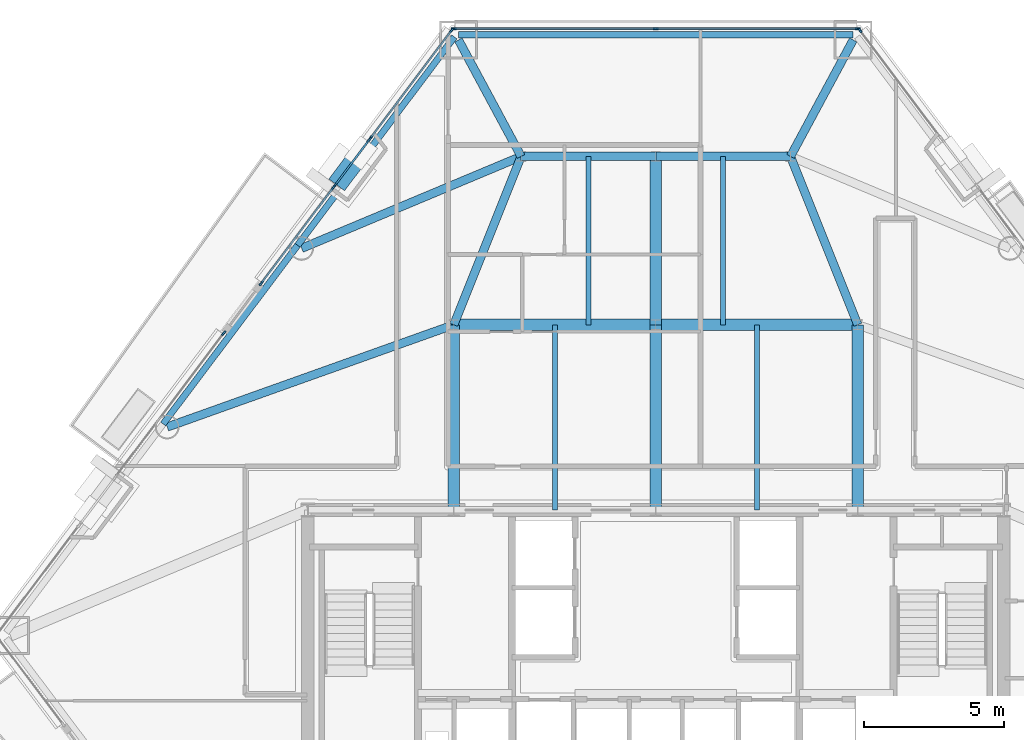
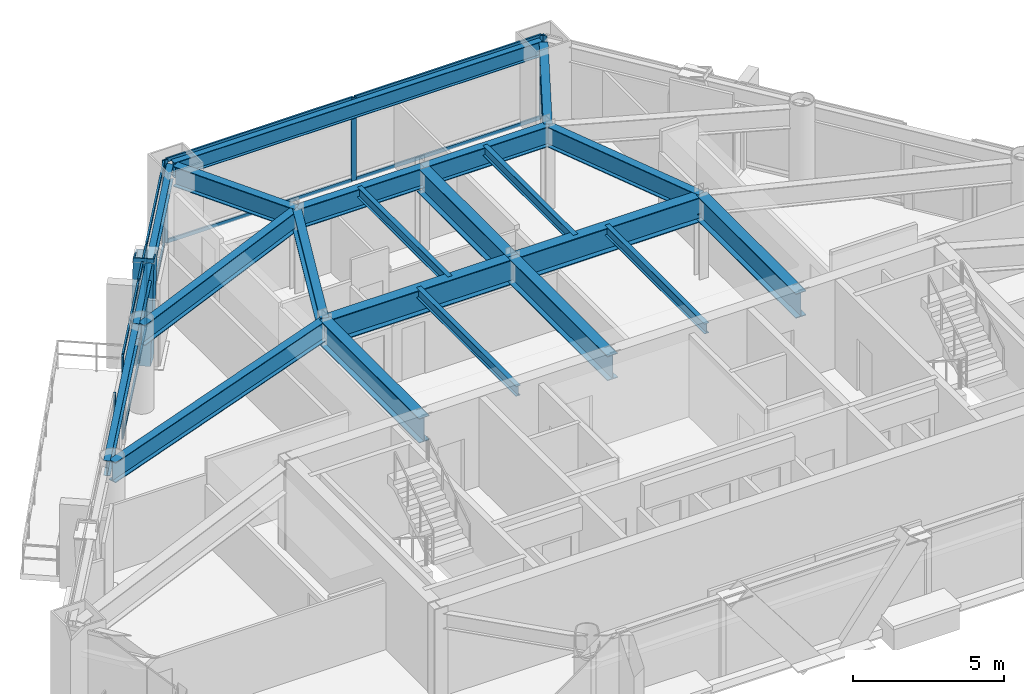
# One storey, part 3 of 10: 22 members, 21 beams, 6 elements without a shape of their own.
"""IFC4 building model written with IfcOpenShell, lengths in metres."""

from ifc_helpers import new_model, si_unit, direction, frame, origin, origin_2d, place, context, subcontext, project, spatial, rectangle, hollow_rectangle, i_section, extrude, material, layer, layer_set, material_profile, profile_set, type_object, element, aggregate, save


model = new_model("IFC4")

# Units and contexts
model_context = context("Model", 3, precision=1e-05, world=origin(), true_north=direction((0.0, 1.0)))
body_context = subcontext(model_context, "Body", "Model", "MODEL_VIEW")
ifc_project = project(units=[si_unit("LENGTHUNIT", "METRE"), si_unit("AREAUNIT", "SQUARE_METRE"), si_unit("VOLUMEUNIT", "CUBIC_METRE"), si_unit("PLANEANGLEUNIT", "RADIAN"), si_unit("MASSUNIT", "GRAM", prefix="KILO")], contexts=[model_context])

# Site, building, storey
site_placement = place(None, origin())
site = spatial("IfcSite", under=ifc_project, at=site_placement, CompositionType="ELEMENT")
building_placement = place(site_placement, origin())
building = spatial("IfcBuilding", under=site, at=building_placement, Name="Talgorran Terracotta Tower", CompositionType="ELEMENT")
storey_placement = place(building_placement, frame((0.0, 0.0, 75.60009765625)))
storey = spatial("IfcBuildingStorey", under=building, at=storey_placement, Name="L19", CompositionType="ELEMENT", Elevation=75.60009765625)

# Beams
ifc_material_1 = material(Name="Steel Grade 350 (350L0)", Category="steel")
ifc_material_profile_1 = material_profile(ifc_material_1, i_section(OverallWidth=0.39990234375, OverallDepth=1.0, WebThickness=0.01611328125, FlangeThickness=0.031005859375, at=origin_2d()), Name="1000WB296")
ifc_profile_set_1 = profile_set([ifc_material_profile_1], Name="Steel Grade 350 (350L0)")
beam_type_1 = type_object("IfcBeamType", Name="BM_1000WB296", PredefinedType="BEAM", material=ifc_profile_set_1)
for number, where, z_axis, x_axis, name in (
    (1, (-7.199951171875, -4.199951171875, 2.849853515625), (0.0, 1.0, 0.0), (-1.0, 0.0, 0.0), "L19 Floor Girder G01"),
    (2, (0.0, -4.199951171875, 2.849853515625), (0.0, 1.0, 0.0), (-1.0, 0.0, 0.0), "L19 Floor Girder G02"),
    (3, (7.199951171875, -4.199951171875, 2.849853515625), (0.0, 1.0, 0.0), (-1.0, 0.0, 0.0), "L19 Floor Girder G03"),
):
    element("IfcBeam", number, at=place(storey_placement, frame(where, z_axis=z_axis, x_axis=x_axis)), inside=storey, type_object=beam_type_1, Name=name, PredefinedType="BEAM", context=body_context, shape_type="SweptSolid", body=[
        extrude(i_section(OverallWidth=0.39990234375, OverallDepth=1.0, WebThickness=0.01611328125, FlangeThickness=0.031005859375, at=origin_2d()), origin(), (0.0, 0.0, 1.0), 6.599853515625),
    ])
for number, where, z_axis, x_axis, name in (
    (4, (-7.199951171875, 2.39990234375, 2.849853515625), (1.0, 0.0, 0.0), (0.0, 1.0, 0.0), "L19 Floor Girder G04"),
    (5, (0.0, 2.39990234375, 2.849853515625), (1.0, 0.0, 0.0), (0.0, 1.0, 0.0), "L19 Floor Girder G05"),
):
    element("IfcBeam", number, at=place(storey_placement, frame(where, z_axis=z_axis, x_axis=x_axis)), inside=storey, type_object=beam_type_1, Name=name, PredefinedType="BEAM", context=body_context, shape_type="SweptSolid", body=[
        extrude(i_section(OverallWidth=0.39990234375, OverallDepth=1.0, WebThickness=0.01611328125, FlangeThickness=0.031005859375, at=origin_2d()), origin(), (0.0, 0.0, 1.0), 7.199951171875),
    ])
beam_1_placement = place(storey_placement, frame((0.0, 2.39990234375, 2.849853515625), z_axis=(0.0, 1.0, 0.0), x_axis=(-1.0, 0.0, 0.0)))
element("IfcBeam", 6, at=beam_1_placement, inside=storey, type_object=beam_type_1, Name="L19 Floor Girder G09", PredefinedType="BEAM", context=body_context, shape_type="SweptSolid", body=[
    extrude(i_section(OverallWidth=0.39990234375, OverallDepth=1.0, WebThickness=0.01611328125, FlangeThickness=0.031005859375, at=origin_2d()), origin(), (0.0, 0.0, 1.0), 6.0),
])
ifc_material_2 = material(Name="Steel S355 (300PLUS)", Category="steel")
ifc_material_profile_2 = material_profile(ifc_material_2, i_section(OverallWidth=0.300048828125, OverallDepth=0.81591796875, WebThickness=0.013916015625, FlangeThickness=0.028076171875, at=origin_2d()), Name="800WB192")
ifc_profile_set_2 = profile_set([ifc_material_profile_2], Name="Steel S355 (300PLUS)")
beam_type_2 = type_object("IfcBeamType", Name="BM_800WB192", PredefinedType="BEAM", material=ifc_profile_set_2)
beam_2_placement = place(storey_placement, frame((-7.199951171875, 2.39990234375, 2.94189453125), z_axis=(-0.941876792617, -0.335958490783, 0.0), x_axis=(0.335958490783, -0.941876792617, 0.0)))
element("IfcBeam", 7, at=beam_2_placement, inside=storey, type_object=beam_type_2, Name="L19 Floor Girder G06", PredefinedType="BEAM", context=body_context, shape_type="SweptSolid", body=[
    extrude(i_section(OverallWidth=0.300048828125, OverallDepth=0.81591796875, WebThickness=0.013916015625, FlangeThickness=0.028076171875, at=origin_2d()), origin(), (0.0, 0.0, 1.0), 10.845947265625),
])
for number, where, z_axis, x_axis, name in (
    (8, (-7.199951171875, 2.39990234375, 2.94189453125), (0.371377648723, 0.928481901832, 0.0), (-0.928481901832, 0.371377648723, 0.0), "L19 Floor Girder G08"),
    (9, (7.199951171875, 2.39990234375, 2.94189453125), (-0.371377648723, 0.928481901832, 0.0), (-0.928481901832, -0.371377648723, 0.0), "L19 Floor Girder G10"),
):
    element("IfcBeam", number, at=place(storey_placement, frame(where, z_axis=z_axis, x_axis=x_axis)), inside=storey, type_object=beam_type_2, Name=name, PredefinedType="BEAM", context=body_context, shape_type="SweptSolid", body=[
        extrude(i_section(OverallWidth=0.300048828125, OverallDepth=0.81591796875, WebThickness=0.013916015625, FlangeThickness=0.028076171875, at=origin_2d()), origin(), (0.0, 0.0, 1.0), 6.462158203125),
    ])
for number, where, z_axis, x_axis, name in (
    (10, (-4.800048828125, 8.39990234375, 2.94189453125), (1.0, 0.0, 0.0), (0.0, 1.0, 0.0), "L19 Floor Girder G11"),
    (11, (0.0, 8.39990234375, 2.94189453125), (1.0, 0.0, 0.0), (0.0, 1.0, 0.0), "L19 Floor Girder G12"),
):
    element("IfcBeam", number, at=place(storey_placement, frame(where, z_axis=z_axis, x_axis=x_axis)), inside=storey, type_object=beam_type_2, Name=name, PredefinedType="BEAM", context=body_context, shape_type="SweptSolid", body=[
        extrude(i_section(OverallWidth=0.300048828125, OverallDepth=0.81591796875, WebThickness=0.013916015625, FlangeThickness=0.028076171875, at=origin_2d()), origin(), (0.0, 0.0, 1.0), 4.800048828125),
    ])
beam_3_placement = place(storey_placement, frame((-4.800048828125, 8.39990234375, 2.94189453125), z_axis=(-0.922404506717, -0.386225227023, 0.0), x_axis=(0.386225227023, -0.922404506717, 0.0)))
element("IfcBeam", 12, at=beam_3_placement, inside=storey, type_object=beam_type_2, Name="L19 Floor Girder G13", PredefinedType="BEAM", context=body_context, shape_type="SweptSolid", body=[
    extrude(i_section(OverallWidth=0.300048828125, OverallDepth=0.81591796875, WebThickness=0.013916015625, FlangeThickness=0.028076171875, at=origin_2d()), origin(), (0.0, 0.0, 1.0), 8.482421875),
])
for number, where, z_axis, x_axis, name in (
    (13, (-4.800048828125, 8.39990234375, 2.94189453125), (-0.473809593846, 0.880627315486, 0.0), (-0.880627315486, -0.473809593846, 0.0), "L19 Floor Girder G15"),
    (14, (4.800048828125, 8.39990234375, 2.94189453125), (0.473809593846, 0.880627315486, 0.0), (-0.880627315486, 0.473809593846, 0.0), "L19 Floor Girder G16"),
):
    element("IfcBeam", number, at=place(storey_placement, frame(where, z_axis=z_axis, x_axis=x_axis)), inside=storey, type_object=beam_type_2, Name=name, PredefinedType="BEAM", context=body_context, shape_type="SweptSolid", body=[
        extrude(i_section(OverallWidth=0.300048828125, OverallDepth=0.81591796875, WebThickness=0.013916015625, FlangeThickness=0.028076171875, at=origin_2d()), origin(), (0.0, 0.0, 1.0), 4.7158203125),
    ])
ifc_material_profile_3 = material_profile(ifc_material_2, i_section(OverallWidth=0.177734375, OverallDepth=0.406494140625, WebThickness=0.0078125, FlangeThickness=0.0126953125, at=origin_2d()), Name="410UB59.7")
ifc_profile_set_3 = profile_set([ifc_material_profile_3], Name="Steel S355 (300PLUS)")
beam_type_3 = type_object("IfcBeamType", Name="BM_JS_410UB60", PredefinedType="JOIST", material=ifc_profile_set_3)
for number, where, z_axis, x_axis, name in (
    (15, (-3.60009765625, -4.199951171875, 3.146728515625), (0.0, 1.0, 0.0), (-1.0, 0.0, 0.0), "L19 Secondary Joist J01"),
    (16, (3.60009765625, -4.199951171875, 3.146728515625), (0.0, 1.0, 0.0), (-1.0, 0.0, 0.0), "L19 Secondary Joist J02"),
):
    element("IfcBeam", number, at=place(storey_placement, frame(where, z_axis=z_axis, x_axis=x_axis)), inside=storey, type_object=beam_type_3, Name=name, PredefinedType="JOIST", context=body_context, shape_type="SweptSolid", body=[
        extrude(i_section(OverallWidth=0.177734375, OverallDepth=0.406494140625, WebThickness=0.0078125, FlangeThickness=0.0126953125, at=origin_2d()), origin(), (0.0, 0.0, 1.0), 6.599853515625),
    ])
for number, where, z_axis, x_axis, name in (
    (17, (-2.39990234375, 2.39990234375, 3.146728515625), (0.0, 1.0, 0.0), (-1.0, 0.0, 0.0), "L19 Secondary Joist J03"),
    (18, (2.39990234375, 2.39990234375, 3.146728515625), (0.0, 1.0, 0.0), (-1.0, 0.0, 0.0), "L19 Secondary Joist J04"),
):
    element("IfcBeam", number, at=place(storey_placement, frame(where, z_axis=z_axis, x_axis=x_axis)), inside=storey, type_object=beam_type_3, Name=name, PredefinedType="JOIST", context=body_context, shape_type="SweptSolid", body=[
        extrude(i_section(OverallWidth=0.177734375, OverallDepth=0.406494140625, WebThickness=0.0078125, FlangeThickness=0.0126953125, at=origin_2d()), origin(), (0.0, 0.0, 1.0), 6.0),
    ])
ifc_material_profile_4 = material_profile(ifc_material_2, i_section(OverallWidth=0.22900390625, OverallDepth=0.611572265625, WebThickness=0.011962890625, FlangeThickness=0.01953125, at=origin_2d()), Name="610UB125")
ifc_profile_set_4 = profile_set([ifc_material_profile_4], Name="Steel S355 (300PLUS)")
beam_type_4 = type_object("IfcBeamType", Name="BM_SP_610UB125", PredefinedType="SPANDREL", material=ifc_profile_set_4)
beam_4_placement = place(storey_placement, frame((7.034423828125, 12.73291015625, 3.044189453125), z_axis=(-1.0, 0.0, 0.0), x_axis=(0.0, -1.0, 0.0)))
element("IfcBeam", 19, at=beam_4_placement, inside=storey, type_object=beam_type_4, Name="L19 Perimeter Spandrel Beam MC5-MC6", PredefinedType="SPANDREL", context=body_context, shape_type="SweptSolid", body=[
    extrude(i_section(OverallWidth=0.22900390625, OverallDepth=0.611572265625, WebThickness=0.011962890625, FlangeThickness=0.01953125, at=origin_2d()), origin(), (0.0, 0.0, 1.0), 14.06884765625),
])
beam_5_placement = place(storey_placement, frame((-7.17822265625, 12.660888671875, 3.044189453125), z_axis=(-0.601247141496, -0.799063123191, 0.0), x_axis=(0.799063123191, -0.601247141496, 0.0)))
element("IfcBeam", 20, at=beam_5_placement, inside=storey, type_object=beam_type_4, Name="L19 Perimeter Spandrel Beam MC6-FC5", PredefinedType="SPANDREL", context=body_context, shape_type="SweptSolid", body=[
    extrude(i_section(OverallWidth=0.22900390625, OverallDepth=0.611572265625, WebThickness=0.011962890625, FlangeThickness=0.01953125, at=origin_2d()), origin(), (0.0, 0.0, 1.0), 9.297119140625),
])
beam_6_placement = place(storey_placement, frame((-12.76806640625, 5.23193359375, 3.044189453125), z_axis=(-0.601259066115, -0.799054150489, 0.0), x_axis=(0.799054150489, -0.601259066115, 0.0)))
element("IfcBeam", 21, at=beam_6_placement, inside=storey, type_object=beam_type_4, Name="L19 Perimeter Spandrel Beam FC5-FC6", PredefinedType="SPANDREL", context=body_context, shape_type="SweptSolid", body=[
    extrude(i_section(OverallWidth=0.22900390625, OverallDepth=0.611572265625, WebThickness=0.011962890625, FlangeThickness=0.01953125, at=origin_2d()), origin(), (0.0, 0.0, 1.0), 7.96875),
])

# Member
ifc_material_profile_5 = material_profile(ifc_material_1, hollow_rectangle(XDim=0.699951171875, YDim=0.89990234375, WallThickness=0.050048828125, at=origin_2d()), Name="WBOX900X700X50")
ifc_profile_set_5 = profile_set([ifc_material_profile_5], Name="Steel Grade 350 (350L0)")
member_type_1 = type_object("IfcMemberType", Name="MB_MEGA_900", PredefinedType="BRACE", material=ifc_profile_set_5)
member_1_placement = place(storey_placement, frame((-11.1123046875, 7.732421875, -0.27001953125), z_axis=(0.159032186346, 0.211289310129, 0.964399082917), x_axis=(-0.798972940561, 0.601366976356, 0.0)))
element("IfcMember", 22, at=member_1_placement, inside=storey, type_object=member_type_1, Name="L19 Exterior Face Mega-Brace MB-1 (NWU)", PredefinedType="BRACE", context=body_context, shape_type="SweptSolid", body=[
    extrude(hollow_rectangle(XDim=0.699951171875, YDim=0.89990234375, WallThickness=0.050048828125, at=origin_2d()), origin(), (0.0, 0.0, 1.0), 3.779541015625),
])

# Curtain wall, member
ifc_material_3 = material(Name="Unitised Low-E Double Glazing", Category="glass")
ifc_layer = layer(ifc_material_3, 0.199951171875, Name="CW_SYS2_RES_LOW")
ifc_layer_set = layer_set([ifc_layer], Name="Unitised Low-E Double Glazing")
curtain_wall_type = type_object("IfcCurtainWallType", Name="CW_SYS2_RES_LOW", PredefinedType="NOTDEFINED", material=ifc_layer_set)
curtain_wall_1_placement = place(storey_placement, origin())
curtain_wall_1 = element("IfcCurtainWall", 23, at=curtain_wall_1_placement, inside=storey, type_object=curtain_wall_type, Name="CW-L19-F41C", PredefinedType="NOTDEFINED")
ifc_material_4 = material(Name="Architectural Aluminium 6063-T6", Category="aluminium")
ifc_material_profile_6 = material_profile(ifc_material_4, rectangle(XDim=0.06494140625, YDim=0.18505859375, at=origin_2d()), Name="CWM65X185")
ifc_profile_set_6 = profile_set([ifc_material_profile_6], Name="Architectural Aluminium 6063-T6")
member_type_2 = type_object("IfcMemberType", Name="MUL_65X185", PredefinedType="MULLION", material=ifc_profile_set_6)
member_2_placement = place(storey_placement, frame((7.277587890625, 12.894775390625, 0.0), z_axis=(0.0, 0.0, 1.0), x_axis=(-0.799063586675, -0.601246525521, 0.0)))
member_2 = element("IfcMember", 24, at=member_2_placement, type_object=member_type_2, Name="CW-L19-41C mullion 2", PredefinedType="MULLION", context=body_context, shape_type="SweptSolid", body=[
    extrude(rectangle(XDim=0.06494140625, YDim=0.18505859375, at=origin_2d()), origin(), (0.0, 0.0, 1.0), 3.349853515625),
])
aggregate(curtain_wall_1, [member_2])

# Curtain wall, members
curtain_wall_2_placement = place(storey_placement, origin())
curtain_wall_2 = element("IfcCurtainWall", 25, at=curtain_wall_2_placement, inside=storey, type_object=curtain_wall_type, Name="CW-L19-F4", PredefinedType="NOTDEFINED")
member_3_placement = place(storey_placement, frame((7.20166015625, 12.952880859375, 0.0), z_axis=(0.0, 0.0, 1.0), x_axis=(0.0, -1.0, 0.0)))
member_3 = element("IfcMember", 26, at=member_3_placement, type_object=member_type_2, Name="CW-L19-4 mullion 1", PredefinedType="MULLION", context=body_context, shape_type="SweptSolid", body=[
    extrude(rectangle(XDim=0.06494140625, YDim=0.18505859375, at=origin_2d()), origin(), (0.0, 0.0, 1.0), 3.349853515625),
])
member_4_placement = place(storey_placement, frame((0.0, 12.952880859375, 0.0), z_axis=(0.0, 0.0, 1.0), x_axis=(0.0, -1.0, 0.0)))
member_4 = element("IfcMember", 27, at=member_4_placement, type_object=member_type_2, Name="CW-L19-4 mullion 2", PredefinedType="MULLION", context=body_context, shape_type="SweptSolid", body=[
    extrude(rectangle(XDim=0.06494140625, YDim=0.18505859375, at=origin_2d()), origin(), (0.0, 0.0, 1.0), 3.349853515625),
])
member_5_placement = place(storey_placement, frame((-7.20166015625, 12.952880859375, 0.0), z_axis=(0.0, 0.0, 1.0), x_axis=(0.0, -1.0, 0.0)))
member_5 = element("IfcMember", 28, at=member_5_placement, type_object=member_type_2, Name="CW-L19-4 mullion 3", PredefinedType="MULLION", context=body_context, shape_type="SweptSolid", body=[
    extrude(rectangle(XDim=0.06494140625, YDim=0.18505859375, at=origin_2d()), origin(), (0.0, 0.0, 1.0), 3.349853515625),
])

curtain_wall_3_placement = place(storey_placement, origin())
curtain_wall_3 = element("IfcCurtainWall", 29, at=curtain_wall_3_placement, inside=storey, type_object=curtain_wall_type, Name="CW-L19-F60", PredefinedType="NOTDEFINED")
member_6_placement = place(storey_placement, frame((-7.277587890625, 12.894775390625, 0.0), z_axis=(0.0, 0.0, 1.0), x_axis=(0.799063586675, -0.601246525521, 0.0)))
member_6 = element("IfcMember", 30, at=member_6_placement, type_object=member_type_2, Name="CW-L19-60 mullion 1", PredefinedType="MULLION", context=body_context, shape_type="SweptSolid", body=[
    extrude(rectangle(XDim=0.06494140625, YDim=0.18505859375, at=origin_2d()), origin(), (0.0, 0.0, 1.0), 3.349853515625),
])
member_7_placement = place(storey_placement, frame((-10.16943359375, 9.051513671875, 0.0), z_axis=(0.0, 0.0, 1.0), x_axis=(0.799063586675, -0.601246525521, 0.0)))
member_7 = element("IfcMember", 31, at=member_7_placement, type_object=member_type_2, Name="CW-L19-60 mullion 2", PredefinedType="MULLION", context=body_context, shape_type="SweptSolid", body=[
    extrude(rectangle(XDim=0.06494140625, YDim=0.18505859375, at=origin_2d()), origin(), (0.0, 0.0, 1.0), 3.349853515625),
])

curtain_wall_4_placement = place(storey_placement, origin())
curtain_wall_4 = element("IfcCurtainWall", 32, at=curtain_wall_4_placement, inside=storey, type_object=curtain_wall_type, Name="CW-L19-F60B", PredefinedType="NOTDEFINED")
member_8_placement = place(storey_placement, frame((-10.214599609375, 8.99169921875, 0.0), z_axis=(0.0, 0.0, 1.0), x_axis=(0.799063344784, -0.601246846997, 0.0)))
member_8 = element("IfcMember", 33, at=member_8_placement, type_object=member_type_2, Name="CW-L19-60B mullion 1", PredefinedType="MULLION", context=body_context, shape_type="SweptSolid", body=[
    extrude(rectangle(XDim=0.06494140625, YDim=0.18505859375, at=origin_2d()), origin(), (0.0, 0.0, 1.0), 3.349853515625),
])
member_9_placement = place(storey_placement, frame((-11.44775390625, 7.352783203125, 0.0), z_axis=(0.0, 0.0, 1.0), x_axis=(0.799063344784, -0.601246846997, 0.0)))
member_9 = element("IfcMember", 34, at=member_9_placement, type_object=member_type_2, Name="CW-L19-60B mullion 2", PredefinedType="MULLION", context=body_context, shape_type="SweptSolid", body=[
    extrude(rectangle(XDim=0.06494140625, YDim=0.18505859375, at=origin_2d()), origin(), (0.0, 0.0, 1.0), 3.349853515625),
])

curtain_wall_5_placement = place(storey_placement, origin())
curtain_wall_5 = element("IfcCurtainWall", 35, at=curtain_wall_5_placement, inside=storey, type_object=curtain_wall_type, Name="CW-L19-F60C", PredefinedType="NOTDEFINED")
member_10_placement = place(storey_placement, frame((-11.492919921875, 7.292724609375, 0.0), z_axis=(0.0, 0.0, 1.0), x_axis=(0.799058731619, -0.601252977892, 0.0)))
member_10 = element("IfcMember", 36, at=member_10_placement, type_object=member_type_2, Name="CW-L19-60C mullion 1", PredefinedType="MULLION", context=body_context, shape_type="SweptSolid", body=[
    extrude(rectangle(XDim=0.06494140625, YDim=0.18505859375, at=origin_2d()), origin(), (0.0, 0.0, 1.0), 3.349853515625),
])
member_11_placement = place(storey_placement, frame((-14.062744140625, 3.87744140625, 0.0), z_axis=(0.0, 0.0, 1.0), x_axis=(0.799058731619, -0.601252977892, 0.0)))
member_11 = element("IfcMember", 37, at=member_11_placement, type_object=member_type_2, Name="CW-L19-60C mullion 2", PredefinedType="MULLION", context=body_context, shape_type="SweptSolid", body=[
    extrude(rectangle(XDim=0.06494140625, YDim=0.18505859375, at=origin_2d()), origin(), (0.0, 0.0, 1.0), 3.349853515625),
])

# Curtain wall, member
curtain_wall_6_placement = place(storey_placement, origin())
curtain_wall_6 = element("IfcCurtainWall", 38, at=curtain_wall_6_placement, inside=storey, type_object=curtain_wall_type, Name="CW-L19-F61", PredefinedType="NOTDEFINED")
member_12_placement = place(storey_placement, frame((-15.400390625, 2.099609375, 0.0), z_axis=(0.0, 0.0, 1.0), x_axis=(0.79906548166, -0.601244007055, 0.0)))
member_12 = element("IfcMember", 39, at=member_12_placement, type_object=member_type_2, Name="CW-L19-61 mullion 1", PredefinedType="MULLION", context=body_context, shape_type="SweptSolid", body=[
    extrude(rectangle(XDim=0.06494140625, YDim=0.18505859375, at=origin_2d()), origin(), (0.0, 0.0, 1.0), 3.349853515625),
])
aggregate(curtain_wall_6, [member_12])

# Member
ifc_material_profile_7 = material_profile(ifc_material_4, rectangle(XDim=0.06494140625, YDim=0.14990234375, at=origin_2d()), Name="CWT65X150")
ifc_profile_set_7 = profile_set([ifc_material_profile_7], Name="Architectural Aluminium 6063-T6")
member_type_3 = type_object("IfcMemberType", Name="TRN_65X150", PredefinedType="USERDEFINED", material=ifc_profile_set_7)
member_13_placement = place(storey_placement, frame((7.169189453125, 12.952880859375, 0.032470703125), z_axis=(-1.0, 0.0, 0.0), x_axis=(0.0, -1.0, 0.0)))
member_13 = element("IfcMember", 40, at=member_13_placement, type_object=member_type_3, Name="CW-L19-4 transom 1.1", ObjectType="TRANSOM", PredefinedType="USERDEFINED", context=body_context, shape_type="SweptSolid", body=[
    extrude(rectangle(XDim=0.06494140625, YDim=0.14990234375, at=origin_2d()), origin(), (0.0, 0.0, 1.0), 7.13671875),
])

member_14_placement = place(storey_placement, frame((7.169189453125, 12.952880859375, 3.3173828125), z_axis=(-1.0, 0.0, 0.0), x_axis=(0.0, -1.0, 0.0)))
member_14 = element("IfcMember", 41, at=member_14_placement, type_object=member_type_3, Name="CW-L19-4 transom 1.2", ObjectType="TRANSOM", PredefinedType="USERDEFINED", context=body_context, shape_type="SweptSolid", body=[
    extrude(rectangle(XDim=0.06494140625, YDim=0.14990234375, at=origin_2d()), origin(), (0.0, 0.0, 1.0), 7.13671875),
])

member_15_placement = place(storey_placement, frame((-0.032470703125, 12.952880859375, 0.032470703125), z_axis=(-1.0, 0.0, 0.0), x_axis=(0.0, -1.0, 0.0)))
member_15 = element("IfcMember", 42, at=member_15_placement, type_object=member_type_3, Name="CW-L19-4 transom 2.1", ObjectType="TRANSOM", PredefinedType="USERDEFINED", context=body_context, shape_type="SweptSolid", body=[
    extrude(rectangle(XDim=0.06494140625, YDim=0.14990234375, at=origin_2d()), origin(), (0.0, 0.0, 1.0), 7.13671875),
])

member_16_placement = place(storey_placement, frame((-0.032470703125, 12.952880859375, 3.3173828125), z_axis=(-1.0, 0.0, 0.0), x_axis=(0.0, -1.0, 0.0)))
member_16 = element("IfcMember", 43, at=member_16_placement, type_object=member_type_3, Name="CW-L19-4 transom 2.2", ObjectType="TRANSOM", PredefinedType="USERDEFINED", context=body_context, shape_type="SweptSolid", body=[
    extrude(rectangle(XDim=0.06494140625, YDim=0.14990234375, at=origin_2d()), origin(), (0.0, 0.0, 1.0), 7.13671875),
])

aggregate(curtain_wall_2, [member_3, member_4, member_5, member_13, member_14, member_15, member_16])

member_17_placement = place(storey_placement, frame((-7.297119140625, 12.868896484375, 0.032470703125), z_axis=(-0.60125888976, -0.79905428319, 0.0), x_axis=(0.79905428319, -0.60125888976, 0.0)))
member_17 = element("IfcMember", 44, at=member_17_placement, type_object=member_type_3, Name="CW-L19-60 transom 1.1", ObjectType="TRANSOM", PredefinedType="USERDEFINED", context=body_context, shape_type="SweptSolid", body=[
    extrude(rectangle(XDim=0.06494140625, YDim=0.14990234375, at=origin_2d()), origin(), (0.0, 0.0, 1.0), 4.74462890625),
])

member_18_placement = place(storey_placement, frame((-7.297119140625, 12.868896484375, 3.3173828125), z_axis=(-0.60125888976, -0.79905428319, 0.0), x_axis=(0.79905428319, -0.60125888976, 0.0)))
member_18 = element("IfcMember", 45, at=member_18_placement, type_object=member_type_3, Name="CW-L19-60 transom 1.2", ObjectType="TRANSOM", PredefinedType="USERDEFINED", context=body_context, shape_type="SweptSolid", body=[
    extrude(rectangle(XDim=0.06494140625, YDim=0.14990234375, at=origin_2d()), origin(), (0.0, 0.0, 1.0), 4.74462890625),
])

aggregate(curtain_wall_3, [member_6, member_7, member_17, member_18])

member_19_placement = place(storey_placement, frame((-10.234130859375, 8.965576171875, 0.032470703125), z_axis=(-0.601258075996, -0.799054895517, 0.0), x_axis=(0.799054895517, -0.601258075996, 0.0)))
member_19 = element("IfcMember", 46, at=member_19_placement, type_object=member_type_3, Name="CW-L19-60B transom 1.1", ObjectType="TRANSOM", PredefinedType="USERDEFINED", context=body_context, shape_type="SweptSolid", body=[
    extrude(rectangle(XDim=0.06494140625, YDim=0.14990234375, at=origin_2d()), origin(), (0.0, 0.0, 1.0), 1.986083984375),
])

member_20_placement = place(storey_placement, frame((-10.234130859375, 8.965576171875, 3.3173828125), z_axis=(-0.601258075996, -0.799054895517, 0.0), x_axis=(0.799054895517, -0.601258075996, 0.0)))
member_20 = element("IfcMember", 47, at=member_20_placement, type_object=member_type_3, Name="CW-L19-60B transom 1.2", ObjectType="TRANSOM", PredefinedType="USERDEFINED", context=body_context, shape_type="SweptSolid", body=[
    extrude(rectangle(XDim=0.06494140625, YDim=0.14990234375, at=origin_2d()), origin(), (0.0, 0.0, 1.0), 1.986083984375),
])

aggregate(curtain_wall_4, [member_8, member_9, member_19, member_20])

member_21_placement = place(storey_placement, frame((-11.512451171875, 7.266845703125, 0.032470703125), z_axis=(-0.601233537284, -0.799073359364, 0.0), x_axis=(0.799073359364, -0.601233537284, 0.0)))
member_21 = element("IfcMember", 48, at=member_21_placement, type_object=member_type_3, Name="CW-L19-60C transom 1.1", ObjectType="TRANSOM", PredefinedType="USERDEFINED", context=body_context, shape_type="SweptSolid", body=[
    extrude(rectangle(XDim=0.06494140625, YDim=0.14990234375, at=origin_2d()), origin(), (0.0, 0.0, 1.0), 4.209228515625),
])

member_22_placement = place(storey_placement, frame((-11.512451171875, 7.266845703125, 3.3173828125), z_axis=(-0.601233537284, -0.799073359364, 0.0), x_axis=(0.799073359364, -0.601233537284, 0.0)))
member_22 = element("IfcMember", 49, at=member_22_placement, type_object=member_type_3, Name="CW-L19-60C transom 1.2", ObjectType="TRANSOM", PredefinedType="USERDEFINED", context=body_context, shape_type="SweptSolid", body=[
    extrude(rectangle(XDim=0.06494140625, YDim=0.14990234375, at=origin_2d()), origin(), (0.0, 0.0, 1.0), 4.209228515625),
])

aggregate(curtain_wall_5, [member_10, member_11, member_21, member_22])

save(model, "model.ifc")
